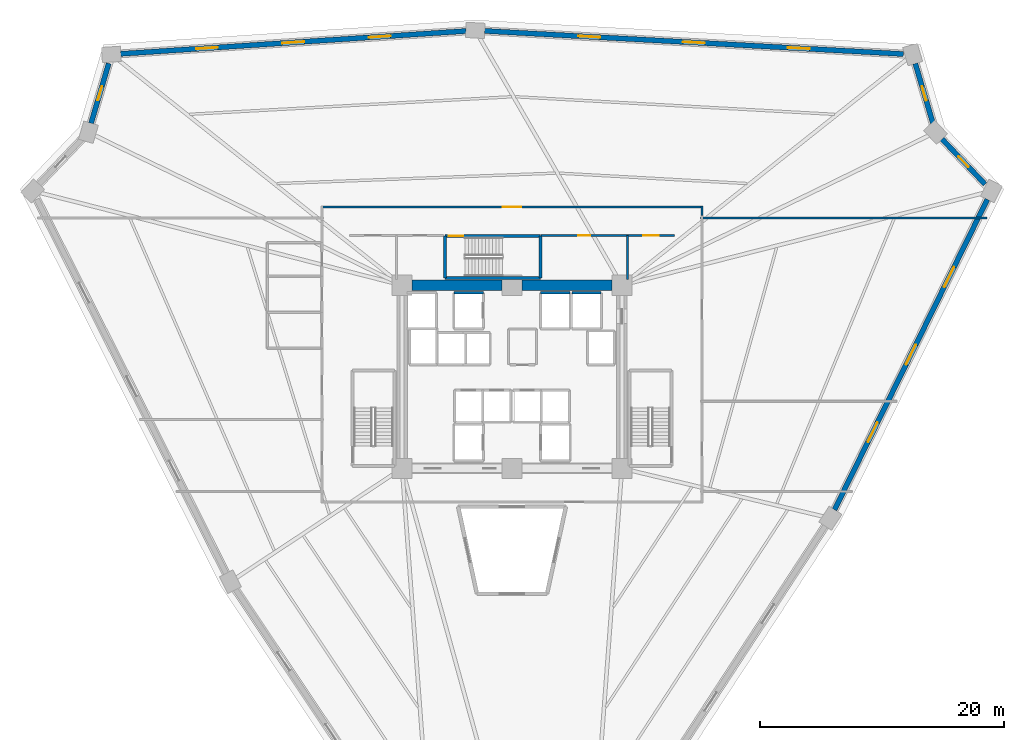
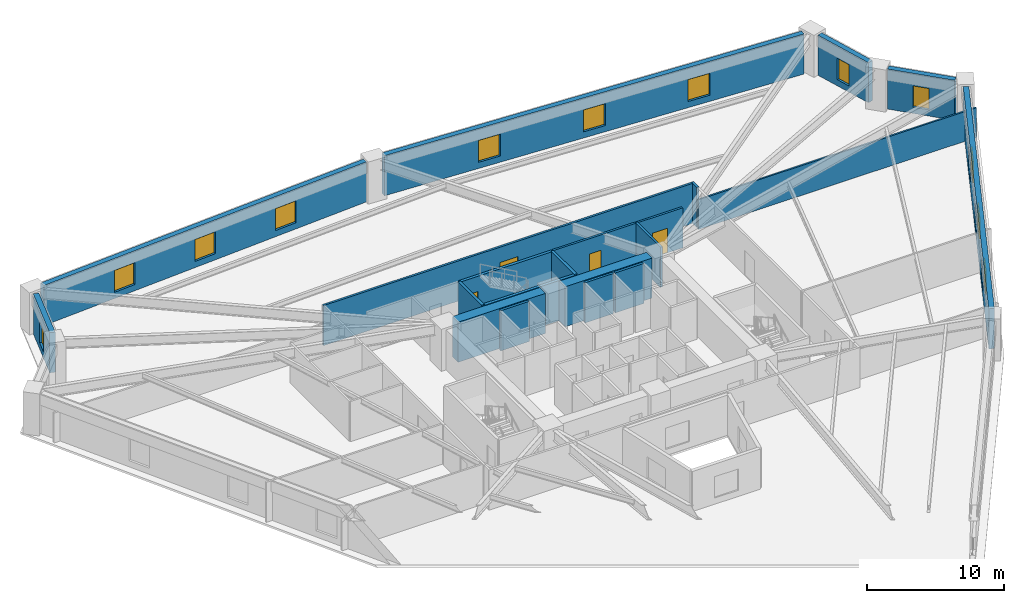
# One storey, part 6 of 8: 21 walls, 12 windows, 4 doors, 16 openings.
"""IFC4 building model written with IfcOpenShell, lengths in metres."""

from ifc_helpers import new_model, si_unit, direction, frame, frame_2d, origin, place, context, subcontext, project, spatial, rectangle, extrude, source, transform, mapped, material, layer, layer_set, type_object, element, fill, save


model = new_model("IFC4")

# Units and contexts
model_context = context("Model", 3, precision=1e-05, world=origin(), true_north=direction((0.0, 1.0)))
body_context = subcontext(model_context, "Body", "Model", "MODEL_VIEW")
ifc_project = project(units=[si_unit("LENGTHUNIT", "METRE"), si_unit("AREAUNIT", "SQUARE_METRE"), si_unit("VOLUMEUNIT", "CUBIC_METRE"), si_unit("PLANEANGLEUNIT", "RADIAN"), si_unit("MASSUNIT", "GRAM", prefix="KILO")], contexts=[model_context])

# Site, building, storey
site_placement = place(None, origin())
site = spatial("IfcSite", under=ifc_project, at=site_placement, CompositionType="ELEMENT")
building_placement = place(site_placement, origin())
building = spatial("IfcBuilding", under=site, at=building_placement, Name="Liaohun Quay Tower", CompositionType="ELEMENT")
storey_placement = place(building_placement, frame((0.0, 0.0, 32.25)))
storey = spatial("IfcBuildingStorey", under=building, at=storey_placement, Name="L08", CompositionType="ELEMENT", Elevation=32.25)

# Walls
ifc_material_1 = material(Name="Concrete C60", Category="concrete")
ifc_layer_1 = layer(ifc_material_1, 0.85009765625, Name="Concrete C60", Category="concrete")
ifc_layer_set_1 = layer_set([ifc_layer_1], Name="Concrete C60")
wall_type_1 = type_object("IfcWallType", Name="WAL-COR-Z1", PredefinedType="SHEAR", material=ifc_layer_set_1)
for number, where, z_axis, x_axis, name in (
    (1, (51.824951171875, 61.5, 0.0), (0.0, 0.0, 1.0), (1.0, 0.0, 0.0), "L08 Central Core Shear Wall N-W"),
    (2, (60.824951171875, 61.5, 0.0), (0.0, 0.0, 1.0), (1.0, 0.0, 0.0), "L08 Central Core Shear Wall N-E"),
):
    element("IfcWall", number, at=place(storey_placement, frame(where, z_axis=z_axis, x_axis=x_axis)), inside=storey, type_object=wall_type_1, Name=name, PredefinedType="SHEAR", context=body_context, shape_type="SweptSolid", body=[
        extrude(rectangle(XDim=7.35009765625, YDim=0.85009765625, at=frame_2d((3.675048828125, 0.0))), origin(), (0.0, 0.0, 1.0), 3.570068359375),
    ])

# Wall, openings, windows
ifc_material_2 = material(Name="Precast concrete C50 insulated sandwich", Category="concrete")
ifc_layer_2 = layer(ifc_material_2, 0.419921875, Name="Precast concrete C50 insulated sandwich", Category="concrete")
ifc_layer_set_2 = layer_set([ifc_layer_2], Name="Precast concrete C50 insulated sandwich")
wall_type_2 = type_object("IfcWallType", Name="WAL-EXT-Z12", PredefinedType="SOLIDWALL", material=ifc_layer_set_2)
wall_1_placement = place(storey_placement, frame((86.402099609375, 43.10888671875, 0.0), z_axis=(0.0, 0.0, 1.0), x_axis=(0.441766083851, 0.897130273238, 0.0)))
wall_1 = element("IfcWall", 3, at=wall_1_placement, inside=storey, type_object=wall_type_2, Name="L08 Brutalist Precast Pier Wall 03", PredefinedType="SOLIDWALL", context=body_context, shape_type="SweptSolid", body=[
    extrude(rectangle(XDim=28.33154296875, YDim=0.419921875, at=frame_2d((14.165771484375, 0.0))), origin(), (0.0, 0.0, 1.0), 3.570068359375),
])
shared_shape_1 = source(origin(), body_context, "Body", "SweptSolid", [
    extrude(rectangle(XDim=1.800048828125, YDim=1.949951171875, at=frame_2d((0.89990234375, 0.97509765625))), frame((0.0, 0.219970703125, 0.0), z_axis=(0.0, -1.0, 0.0), x_axis=(1.0, 0.0, 0.0)), (0.0, 0.0, 1.0), 0.43994140625),
])
opening_1_placement = place(wall_1_placement, frame((6.18310546875, 0.0, 0.550048828125)))
opening_1 = element("IfcOpeningElement", 4, at=opening_1_placement, cuts=wall_1, Name="Opening W01", PredefinedType="OPENING", context=body_context, shape_type="MappedRepresentation", body=[
    mapped(shared_shape_1, transform((0.0, 0.0, 0.0), x_axis=(1.0, 0.0, 0.0), y_axis=(0.0, 1.0, 0.0), z_axis=(0.0, 0.0, 1.0), scale=1.0)),
])
opening_2_placement = place(wall_1_placement, frame((13.26611328125, 0.0, 0.550048828125)))
opening_2 = element("IfcOpeningElement", 5, at=opening_2_placement, cuts=wall_1, Name="Opening W01", PredefinedType="OPENING", context=body_context, shape_type="MappedRepresentation", body=[
    mapped(shared_shape_1, transform((0.0, 0.0, 0.0), x_axis=(1.0, 0.0, 0.0), y_axis=(0.0, 1.0, 0.0), z_axis=(0.0, 0.0, 1.0), scale=1.0)),
])
opening_3_placement = place(wall_1_placement, frame((20.34912109375, 0.0, 0.550048828125)))
opening_3 = element("IfcOpeningElement", 6, at=opening_3_placement, cuts=wall_1, Name="Opening W01", PredefinedType="OPENING", context=body_context, shape_type="MappedRepresentation", body=[
    mapped(shared_shape_1, transform((0.0, 0.0, 0.0), x_axis=(1.0, 0.0, 0.0), y_axis=(0.0, 1.0, 0.0), z_axis=(0.0, 0.0, 1.0), scale=1.0)),
])
ifc_material_3 = material(Name="Triple Low-E argon glazing in thermally broken aluminium", Category="aluminium")
window_type_1 = type_object("IfcWindowType", Name="WIN-PUN-Z1", PartitioningType="DOUBLE_PANEL_VERTICAL", PredefinedType="WINDOW", material=ifc_material_3)
shared_shape_2 = source(origin(), body_context, "Body", "SweptSolid", [
    extrude(rectangle(XDim=1.800048828125, YDim=1.949951171875, at=frame_2d((0.89990234375, 0.97509765625))), frame((0.0, 0.030029296875, 0.0), z_axis=(0.0, -1.0, 0.0), x_axis=(1.0, 0.0, 0.0)), (0.0, 0.0, 1.0), 0.06005859375),
])
window_1_placement = place(opening_1_placement, origin())
window_1 = element("IfcWindow", 7, at=window_1_placement, inside=storey, type_object=window_type_1, Name="L08 Recessed Cold-Climate Punched Window 03-1", OverallHeight=1.949951171875, OverallWidth=1.800048828125, PartitioningType="DOUBLE_PANEL_VERTICAL", PredefinedType="WINDOW", context=body_context, shape_type="MappedRepresentation", body=[
    mapped(shared_shape_2, transform((0.0, 0.0, 0.0), x_axis=(1.0, 0.0, 0.0), y_axis=(0.0, 1.0, 0.0), z_axis=(0.0, 0.0, 1.0), scale=1.0)),
])
fill(opening_1, window_1)
window_2_placement = place(opening_2_placement, origin())
window_2 = element("IfcWindow", 8, at=window_2_placement, inside=storey, type_object=window_type_1, Name="L08 Recessed Cold-Climate Punched Window 03-2", OverallHeight=1.949951171875, OverallWidth=1.800048828125, PartitioningType="DOUBLE_PANEL_VERTICAL", PredefinedType="WINDOW", context=body_context, shape_type="MappedRepresentation", body=[
    mapped(shared_shape_2, transform((0.0, 0.0, 0.0), x_axis=(1.0, 0.0, 0.0), y_axis=(0.0, 1.0, 0.0), z_axis=(0.0, 0.0, 1.0), scale=1.0)),
])
fill(opening_2, window_2)
window_3_placement = place(opening_3_placement, origin())
window_3 = element("IfcWindow", 9, at=window_3_placement, inside=storey, type_object=window_type_1, Name="L08 Recessed Cold-Climate Punched Window 03-3", OverallHeight=1.949951171875, OverallWidth=1.800048828125, PartitioningType="DOUBLE_PANEL_VERTICAL", PredefinedType="WINDOW", context=body_context, shape_type="MappedRepresentation", body=[
    mapped(shared_shape_2, transform((0.0, 0.0, 0.0), x_axis=(1.0, 0.0, 0.0), y_axis=(0.0, 1.0, 0.0), z_axis=(0.0, 0.0, 1.0), scale=1.0)),
])
fill(opening_3, window_3)

# Wall, opening, window
wall_2_placement = place(storey_placement, frame((98.72900390625, 69.76611328125, 0.0), z_axis=(0.0, 0.0, 1.0), x_axis=(-0.689380748277, 0.724399188228, 0.0)))
wall_2 = element("IfcWall", 10, at=wall_2_placement, inside=storey, type_object=wall_type_2, Name="L08 Brutalist Precast Pier Wall 04", PredefinedType="SOLIDWALL", context=body_context, shape_type="SweptSolid", body=[
    extrude(rectangle(XDim=5.1103515625, YDim=0.419921875, at=frame_2d((2.55517578125, 0.0))), origin(), (0.0, 0.0, 1.0), 3.570068359375),
])
shared_shape_3 = source(origin(), body_context, "Body", "SweptSolid", [
    extrude(rectangle(XDim=1.199951171875, YDim=1.89990234375, at=frame_2d((0.60009765625, 0.949951171875))), frame((0.0, 0.219970703125, 0.0), z_axis=(0.0, -1.0, 0.0), x_axis=(1.0, 0.0, 0.0)), (0.0, 0.0, 1.0), 0.43994140625),
])
opening_4_placement = place(wall_2_placement, frame((1.955078125, 0.0, 0.550048828125)))
opening_4 = element("IfcOpeningElement", 11, at=opening_4_placement, cuts=wall_2, Name="Opening W05", PredefinedType="OPENING", context=body_context, shape_type="MappedRepresentation", body=[
    mapped(shared_shape_3, transform((0.0, 0.0, 0.0), x_axis=(1.0, 0.0, 0.0), y_axis=(0.0, 1.0, 0.0), z_axis=(0.0, 0.0, 1.0), scale=1.0)),
])
ifc_material_4 = material(Name="Triple Low-E corner notch glazing", Category="glass")
window_type_2 = type_object("IfcWindowType", Name="WIN-NOTCH", PartitioningType="SINGLE_PANEL", PredefinedType="WINDOW", material=ifc_material_4)
shared_shape_4 = source(origin(), body_context, "Body", "SweptSolid", [
    extrude(rectangle(XDim=1.199951171875, YDim=1.89990234375, at=frame_2d((0.60009765625, 0.949951171875))), frame((0.0, 0.030029296875, 0.0), z_axis=(0.0, -1.0, 0.0), x_axis=(1.0, 0.0, 0.0)), (0.0, 0.0, 1.0), 0.06005859375),
])
window_4_placement = place(opening_4_placement, origin())
window_4 = element("IfcWindow", 12, at=window_4_placement, inside=storey, type_object=window_type_2, Name="L08 Corner Notch Window W05-04", OverallHeight=1.89990234375, OverallWidth=1.199951171875, PartitioningType="SINGLE_PANEL", PredefinedType="WINDOW", context=body_context, shape_type="MappedRepresentation", body=[
    mapped(shared_shape_4, transform((0.0, 0.0, 0.0), x_axis=(1.0, 0.0, 0.0), y_axis=(0.0, 1.0, 0.0), z_axis=(0.0, 0.0, 1.0), scale=1.0)),
])
fill(opening_4, window_4)

wall_3_placement = place(storey_placement, frame((94.462890625, 74.756103515625, 0.0), z_axis=(0.0, 0.0, 1.0), x_axis=(-0.282977060142, 0.959126677469, 0.0)))
wall_3 = element("IfcWall", 13, at=wall_3_placement, inside=storey, type_object=wall_type_2, Name="L08 Brutalist Precast Pier Wall 05", PredefinedType="SOLIDWALL", context=body_context, shape_type="SweptSolid", body=[
    extrude(rectangle(XDim=5.102294921875, YDim=0.419921875, at=frame_2d((2.55126953125, 0.0))), origin(), (0.0, 0.0, 1.0), 3.570068359375),
])
opening_5_placement = place(wall_3_placement, frame((1.950927734375, 0.0, 0.550048828125)))
opening_5 = element("IfcOpeningElement", 14, at=opening_5_placement, cuts=wall_3, Name="Opening W05", PredefinedType="OPENING", context=body_context, shape_type="MappedRepresentation", body=[
    mapped(shared_shape_3, transform((0.0, 0.0, 0.0), x_axis=(1.0, 0.0, 0.0), y_axis=(0.0, 1.0, 0.0), z_axis=(0.0, 0.0, 1.0), scale=1.0)),
])
window_5_placement = place(opening_5_placement, origin())
window_5 = element("IfcWindow", 15, at=window_5_placement, inside=storey, type_object=window_type_2, Name="L08 Corner Notch Window W05-05", OverallHeight=1.89990234375, OverallWidth=1.199951171875, PartitioningType="SINGLE_PANEL", PredefinedType="WINDOW", context=body_context, shape_type="MappedRepresentation", body=[
    mapped(shared_shape_4, transform((0.0, 0.0, 0.0), x_axis=(1.0, 0.0, 0.0), y_axis=(0.0, 1.0, 0.0), z_axis=(0.0, 0.0, 1.0), scale=1.0)),
])
fill(opening_5, window_5)

# Wall, openings, windows
wall_4_placement = place(storey_placement, frame((92.0390625, 80.426025390625, 0.0), z_axis=(0.0, 0.0, 1.0), x_axis=(-0.998480221771, 0.055111221476, 0.0)))
wall_4 = element("IfcWall", 16, at=wall_4_placement, inside=storey, type_object=wall_type_2, Name="L08 Brutalist Precast Pier Wall 06", PredefinedType="SOLIDWALL", context=body_context, shape_type="SweptSolid", body=[
    extrude(rectangle(XDim=34.332275390625, YDim=0.419921875, at=frame_2d((17.166015625, 0.0))), origin(), (0.0, 0.0, 1.0), 3.570068359375),
])
opening_6_placement = place(wall_4_placement, frame((7.68310546875, 0.0, 0.550048828125)))
opening_6 = element("IfcOpeningElement", 17, at=opening_6_placement, cuts=wall_4, Name="Opening W01", PredefinedType="OPENING", context=body_context, shape_type="MappedRepresentation", body=[
    mapped(shared_shape_1, transform((0.0, 0.0, 0.0), x_axis=(1.0, 0.0, 0.0), y_axis=(0.0, 1.0, 0.0), z_axis=(0.0, 0.0, 1.0), scale=1.0)),
])
opening_7_placement = place(wall_4_placement, frame((16.26611328125, 0.0, 0.550048828125)))
opening_7 = element("IfcOpeningElement", 18, at=opening_7_placement, cuts=wall_4, Name="Opening W01", PredefinedType="OPENING", context=body_context, shape_type="MappedRepresentation", body=[
    mapped(shared_shape_1, transform((0.0, 0.0, 0.0), x_axis=(1.0, 0.0, 0.0), y_axis=(0.0, 1.0, 0.0), z_axis=(0.0, 0.0, 1.0), scale=1.0)),
])
opening_8_placement = place(wall_4_placement, frame((24.84912109375, 0.0, 0.550048828125)))
opening_8 = element("IfcOpeningElement", 19, at=opening_8_placement, cuts=wall_4, Name="Opening W01", PredefinedType="OPENING", context=body_context, shape_type="MappedRepresentation", body=[
    mapped(shared_shape_1, transform((0.0, 0.0, 0.0), x_axis=(1.0, 0.0, 0.0), y_axis=(0.0, 1.0, 0.0), z_axis=(0.0, 0.0, 1.0), scale=1.0)),
])
window_6_placement = place(opening_6_placement, origin())
window_6 = element("IfcWindow", 20, at=window_6_placement, inside=storey, type_object=window_type_1, Name="L08 Recessed Cold-Climate Punched Window 06-1", OverallHeight=1.949951171875, OverallWidth=1.800048828125, PartitioningType="DOUBLE_PANEL_VERTICAL", PredefinedType="WINDOW", context=body_context, shape_type="MappedRepresentation", body=[
    mapped(shared_shape_2, transform((0.0, 0.0, 0.0), x_axis=(1.0, 0.0, 0.0), y_axis=(0.0, 1.0, 0.0), z_axis=(0.0, 0.0, 1.0), scale=1.0)),
])
fill(opening_6, window_6)
window_7_placement = place(opening_7_placement, origin())
window_7 = element("IfcWindow", 21, at=window_7_placement, inside=storey, type_object=window_type_1, Name="L08 Recessed Cold-Climate Punched Window 06-2", OverallHeight=1.949951171875, OverallWidth=1.800048828125, PartitioningType="DOUBLE_PANEL_VERTICAL", PredefinedType="WINDOW", context=body_context, shape_type="MappedRepresentation", body=[
    mapped(shared_shape_2, transform((0.0, 0.0, 0.0), x_axis=(1.0, 0.0, 0.0), y_axis=(0.0, 1.0, 0.0), z_axis=(0.0, 0.0, 1.0), scale=1.0)),
])
fill(opening_7, window_7)
window_8_placement = place(opening_8_placement, origin())
window_8 = element("IfcWindow", 22, at=window_8_placement, inside=storey, type_object=window_type_1, Name="L08 Recessed Cold-Climate Punched Window 06-3", OverallHeight=1.949951171875, OverallWidth=1.800048828125, PartitioningType="DOUBLE_PANEL_VERTICAL", PredefinedType="WINDOW", context=body_context, shape_type="MappedRepresentation", body=[
    mapped(shared_shape_2, transform((0.0, 0.0, 0.0), x_axis=(1.0, 0.0, 0.0), y_axis=(0.0, 1.0, 0.0), z_axis=(0.0, 0.0, 1.0), scale=1.0)),
])
fill(opening_8, window_8)

wall_5_placement = place(storey_placement, frame((56.23193359375, 82.31005859375, 0.0), z_axis=(0.0, 0.0, 1.0), x_axis=(-0.997821383979, -0.06597337095, 0.0)))
wall_5 = element("IfcWall", 23, at=wall_5_placement, inside=storey, type_object=wall_type_2, Name="L08 Brutalist Precast Pier Wall 07", PredefinedType="SOLIDWALL", context=body_context, shape_type="SweptSolid", body=[
    extrude(rectangle(XDim=28.331787109375, YDim=0.419921875, at=frame_2d((14.166015625, 0.0))), origin(), (0.0, 0.0, 1.0), 3.570068359375),
])
opening_9_placement = place(wall_5_placement, frame((6.18310546875, 0.0, 0.550048828125)))
opening_9 = element("IfcOpeningElement", 24, at=opening_9_placement, cuts=wall_5, Name="Opening W01", PredefinedType="OPENING", context=body_context, shape_type="MappedRepresentation", body=[
    mapped(shared_shape_1, transform((0.0, 0.0, 0.0), x_axis=(1.0, 0.0, 0.0), y_axis=(0.0, 1.0, 0.0), z_axis=(0.0, 0.0, 1.0), scale=1.0)),
])
opening_10_placement = place(wall_5_placement, frame((13.26611328125, 0.0, 0.550048828125)))
opening_10 = element("IfcOpeningElement", 25, at=opening_10_placement, cuts=wall_5, Name="Opening W01", PredefinedType="OPENING", context=body_context, shape_type="MappedRepresentation", body=[
    mapped(shared_shape_1, transform((0.0, 0.0, 0.0), x_axis=(1.0, 0.0, 0.0), y_axis=(0.0, 1.0, 0.0), z_axis=(0.0, 0.0, 1.0), scale=1.0)),
])
opening_11_placement = place(wall_5_placement, frame((20.34912109375, 0.0, 0.550048828125)))
opening_11 = element("IfcOpeningElement", 26, at=opening_11_placement, cuts=wall_5, Name="Opening W01", PredefinedType="OPENING", context=body_context, shape_type="MappedRepresentation", body=[
    mapped(shared_shape_1, transform((0.0, 0.0, 0.0), x_axis=(1.0, 0.0, 0.0), y_axis=(0.0, 1.0, 0.0), z_axis=(0.0, 0.0, 1.0), scale=1.0)),
])
window_9_placement = place(opening_9_placement, origin())
window_9 = element("IfcWindow", 27, at=window_9_placement, inside=storey, type_object=window_type_1, Name="L08 Recessed Cold-Climate Punched Window 07-1", OverallHeight=1.949951171875, OverallWidth=1.800048828125, PartitioningType="DOUBLE_PANEL_VERTICAL", PredefinedType="WINDOW", context=body_context, shape_type="MappedRepresentation", body=[
    mapped(shared_shape_2, transform((0.0, 0.0, 0.0), x_axis=(1.0, 0.0, 0.0), y_axis=(0.0, 1.0, 0.0), z_axis=(0.0, 0.0, 1.0), scale=1.0)),
])
fill(opening_9, window_9)
window_10_placement = place(opening_10_placement, origin())
window_10 = element("IfcWindow", 28, at=window_10_placement, inside=storey, type_object=window_type_1, Name="L08 Recessed Cold-Climate Punched Window 07-2", OverallHeight=1.949951171875, OverallWidth=1.800048828125, PartitioningType="DOUBLE_PANEL_VERTICAL", PredefinedType="WINDOW", context=body_context, shape_type="MappedRepresentation", body=[
    mapped(shared_shape_2, transform((0.0, 0.0, 0.0), x_axis=(1.0, 0.0, 0.0), y_axis=(0.0, 1.0, 0.0), z_axis=(0.0, 0.0, 1.0), scale=1.0)),
])
fill(opening_10, window_10)
window_11_placement = place(opening_11_placement, origin())
window_11 = element("IfcWindow", 29, at=window_11_placement, inside=storey, type_object=window_type_1, Name="L08 Recessed Cold-Climate Punched Window 07-3", OverallHeight=1.949951171875, OverallWidth=1.800048828125, PartitioningType="DOUBLE_PANEL_VERTICAL", PredefinedType="WINDOW", context=body_context, shape_type="MappedRepresentation", body=[
    mapped(shared_shape_2, transform((0.0, 0.0, 0.0), x_axis=(1.0, 0.0, 0.0), y_axis=(0.0, 1.0, 0.0), z_axis=(0.0, 0.0, 1.0), scale=1.0)),
])
fill(opening_11, window_11)

# Wall, opening, window
wall_6_placement = place(storey_placement, frame((26.98291015625, 79.656982421875, 0.0), z_axis=(0.0, 0.0, 1.0), x_axis=(-0.282952619542, -0.959133887992, 0.0)))
wall_6 = element("IfcWall", 30, at=wall_6_placement, inside=storey, type_object=wall_type_2, Name="L08 Brutalist Precast Pier Wall 08", PredefinedType="SOLIDWALL", context=body_context, shape_type="SweptSolid", body=[
    extrude(rectangle(XDim=5.109619140625, YDim=0.419921875, at=frame_2d((2.5546875, 0.0))), origin(), (0.0, 0.0, 1.0), 3.570068359375),
])
opening_12_placement = place(wall_6_placement, frame((1.955078125, 0.0, 0.550048828125)))
opening_12 = element("IfcOpeningElement", 31, at=opening_12_placement, cuts=wall_6, Name="Opening W05", PredefinedType="OPENING", context=body_context, shape_type="MappedRepresentation", body=[
    mapped(shared_shape_3, transform((0.0, 0.0, 0.0), x_axis=(1.0, 0.0, 0.0), y_axis=(0.0, 1.0, 0.0), z_axis=(0.0, 0.0, 1.0), scale=1.0)),
])
window_12_placement = place(opening_12_placement, origin())
window_12 = element("IfcWindow", 32, at=window_12_placement, inside=storey, type_object=window_type_2, Name="L08 Corner Notch Window W05-08", OverallHeight=1.89990234375, OverallWidth=1.199951171875, PartitioningType="SINGLE_PANEL", PredefinedType="WINDOW", context=body_context, shape_type="MappedRepresentation", body=[
    mapped(shared_shape_4, transform((0.0, 0.0, 0.0), x_axis=(1.0, 0.0, 0.0), y_axis=(0.0, 1.0, 0.0), z_axis=(0.0, 0.0, 1.0), scale=1.0)),
])
fill(opening_12, window_12)

# Wall, opening, door
ifc_material_5 = material(Name="Autoclaved aerated concrete blockwork", Category="masonry")
ifc_layer_3 = layer(ifc_material_5, 0.179931640625, Name="Autoclaved aerated concrete blockwork", Category="masonry")
ifc_layer_set_3 = layer_set([ifc_layer_3], Name="Autoclaved aerated concrete blockwork")
wall_type_3 = type_object("IfcWallType", Name="WAL-PRT-COR", PredefinedType="PARTITIONING", material=ifc_layer_set_3)
wall_7_placement = place(storey_placement, frame((62.389892578125, 65.580078125, 0.0), z_axis=(0.0, 0.0, 1.0), x_axis=(1.0, 0.0, 0.0)))
wall_7 = element("IfcWall", 33, at=wall_7_placement, inside=storey, type_object=wall_type_3, Name="L08 Interior Partition Wall 006", PredefinedType="PARTITIONING", context=body_context, shape_type="SweptSolid", body=[
    extrude(rectangle(XDim=7.070068359375, YDim=0.179931640625, at=frame_2d((3.53515625, 0.0))), origin(), (0.0, 0.0, 1.0), 3.570068359375),
])
shared_shape_5 = source(origin(), body_context, "Body", "SweptSolid", [
    extrude(rectangle(XDim=1.0, YDim=2.199951171875, at=frame_2d((0.5, 1.10009765625))), frame((0.0, 0.099853515625, 0.0), z_axis=(0.0, -1.0, 0.0), x_axis=(1.0, 0.0, 0.0)), (0.0, 0.0, 1.0), 0.199951171875),
])
opening_13_placement = place(wall_7_placement, frame((3.034912109375, 0.0, 0.0)))
opening_13 = element("IfcOpeningElement", 34, at=opening_13_placement, cuts=wall_7, Name="Opening OD1", PredefinedType="OPENING", context=body_context, shape_type="MappedRepresentation", body=[
    mapped(shared_shape_5, transform((0.0, 0.0, 0.0), x_axis=(1.0, 0.0, 0.0), y_axis=(0.0, 1.0, 0.0), z_axis=(0.0, 0.0, 1.0), scale=1.0)),
])
ifc_material_6 = material(Name="Solid-core oak veneer timber leaf in steel frame", Category="steel")
door_type_1 = type_object("IfcDoorType", Name="DOR-OFF-1000", OperationType="NOTDEFINED", PredefinedType="DOOR", material=ifc_material_6)
shared_shape_6 = source(origin(), body_context, "Body", "SweptSolid", [
    extrude(rectangle(XDim=1.0, YDim=2.199951171875, at=frame_2d((0.5, 1.10009765625))), frame((0.0, 0.02490234375, 0.0), z_axis=(0.0, -1.0, 0.0), x_axis=(1.0, 0.0, 0.0)), (0.0, 0.0, 1.0), 0.050048828125),
])
door_1_placement = place(opening_13_placement, origin())
door_1 = element("IfcDoor", 35, at=door_1_placement, inside=storey, type_object=door_type_1, Name="L08 North-East Archive and Mail Room Door", OperationType="SINGLE_SWING_LEFT", OverallHeight=2.199951171875, OverallWidth=1.0, PredefinedType="DOOR", context=body_context, shape_type="MappedRepresentation", body=[
    mapped(shared_shape_6, transform((0.0, 0.0, 0.0), x_axis=(1.0, 0.0, 0.0), y_axis=(0.0, 1.0, 0.0), z_axis=(0.0, 0.0, 1.0), scale=1.0)),
])
fill(opening_13, door_1)

wall_8_placement = place(storey_placement, frame((69.4599609375, 65.580078125, 0.0), z_axis=(0.0, 0.0, 1.0), x_axis=(1.0, 0.0, 0.0)))
wall_8 = element("IfcWall", 36, at=wall_8_placement, inside=storey, type_object=wall_type_3, Name="L08 Interior Partition Wall 008", PredefinedType="PARTITIONING", context=body_context, shape_type="SweptSolid", body=[
    extrude(rectangle(XDim=3.840087890625, YDim=0.179931640625, at=frame_2d((1.919921875, 0.0))), origin(), (0.0, 0.0, 1.0), 3.570068359375),
])
shared_shape_7 = source(origin(), body_context, "Body", "SweptSolid", [
    extrude(rectangle(XDim=1.300048828125, YDim=2.199951171875, at=frame_2d((0.64990234375, 1.10009765625))), frame((0.0, 0.099853515625, 0.0), z_axis=(0.0, -1.0, 0.0), x_axis=(1.0, 0.0, 0.0)), (0.0, 0.0, 1.0), 0.199951171875),
])
opening_14_placement = place(wall_8_placement, frame((1.27001953125, 0.0, 0.0)))
opening_14 = element("IfcOpeningElement", 37, at=opening_14_placement, cuts=wall_8, Name="Opening FD1", PredefinedType="OPENING", context=body_context, shape_type="MappedRepresentation", body=[
    mapped(shared_shape_7, transform((0.0, 0.0, 0.0), x_axis=(1.0, 0.0, 0.0), y_axis=(0.0, 1.0, 0.0), z_axis=(0.0, 0.0, 1.0), scale=1.0)),
])
ifc_material_7 = material(Name="Galvanised steel smokeproof fire door", Category="steel")
door_type_2 = type_object("IfcDoorType", Name="DOR-FFL-1300", OperationType="NOTDEFINED", PredefinedType="DOOR", material=ifc_material_7)
shared_shape_8 = source(origin(), body_context, "Body", "SweptSolid", [
    extrude(rectangle(XDim=1.300048828125, YDim=2.199951171875, at=frame_2d((0.64990234375, 1.10009765625))), frame((0.0, 0.02490234375, 0.0), z_axis=(0.0, -1.0, 0.0), x_axis=(1.0, 0.0, 0.0)), (0.0, 0.0, 1.0), 0.050048828125),
])
door_2_placement = place(opening_14_placement, origin())
door_2 = element("IfcDoor", 38, at=door_2_placement, inside=storey, type_object=door_type_2, Name="L08 East Core Vestibule Door", OperationType="SINGLE_SWING_LEFT", OverallHeight=2.199951171875, OverallWidth=1.300048828125, PredefinedType="DOOR", context=body_context, shape_type="MappedRepresentation", body=[
    mapped(shared_shape_8, transform((0.0, 0.0, 0.0), x_axis=(1.0, 0.0, 0.0), y_axis=(0.0, 1.0, 0.0), z_axis=(0.0, 0.0, 1.0), scale=1.0)),
])
fill(opening_14, door_2)

wall_9_placement = place(storey_placement, frame((44.3701171875, 67.909912109375, 0.0), z_axis=(0.0, 0.0, 1.0), x_axis=(1.0, 0.0, 0.0)))
wall_9 = element("IfcWall", 39, at=wall_9_placement, inside=storey, type_object=wall_type_3, Name="L08 Interior Partition Wall 010", PredefinedType="PARTITIONING", context=body_context, shape_type="SweptSolid", body=[
    extrude(rectangle(XDim=31.259765625, YDim=0.179931640625, at=frame_2d((15.6298828125, 0.0))), origin(), (0.0, 0.0, 1.0), 3.570068359375),
])
shared_shape_9 = source(origin(), body_context, "Body", "SweptSolid", [
    extrude(rectangle(XDim=1.5, YDim=2.199951171875, at=frame_2d((0.75, 1.10009765625))), frame((0.0, 0.099853515625, 0.0), z_axis=(0.0, -1.0, 0.0), x_axis=(1.0, 0.0, 0.0)), (0.0, 0.0, 1.0), 0.199951171875),
])
opening_15_placement = place(wall_9_placement, frame((14.8798828125, 0.0, 0.0)))
opening_15 = element("IfcOpeningElement", 40, at=opening_15_placement, cuts=wall_9, Name="Opening OD2", PredefinedType="OPENING", context=body_context, shape_type="MappedRepresentation", body=[
    mapped(shared_shape_9, transform((0.0, 0.0, 0.0), x_axis=(1.0, 0.0, 0.0), y_axis=(0.0, 1.0, 0.0), z_axis=(0.0, 0.0, 1.0), scale=1.0)),
])
ifc_material_8 = material(Name="Acoustic oak veneer double door")
door_type_3 = type_object("IfcDoorType", Name="DOR-OFF-1500", OperationType="DOUBLE_DOOR_SINGLE_SWING", PredefinedType="DOOR", material=ifc_material_8)
shared_shape_10 = source(origin(), body_context, "Body", "SweptSolid", [
    extrude(rectangle(XDim=1.5, YDim=2.199951171875, at=frame_2d((0.75, 1.10009765625))), frame((0.0, 0.02490234375, 0.0), z_axis=(0.0, -1.0, 0.0), x_axis=(1.0, 0.0, 0.0)), (0.0, 0.0, 1.0), 0.050048828125),
])
door_3_placement = place(opening_15_placement, origin())
door_3 = element("IfcDoor", 41, at=door_3_placement, inside=storey, type_object=door_type_3, Name="L08 Technical Reference Library 02 Door", OperationType="DOUBLE_DOOR_SINGLE_SWING", OverallHeight=2.199951171875, OverallWidth=1.5, PredefinedType="DOOR", context=body_context, shape_type="MappedRepresentation", body=[
    mapped(shared_shape_10, transform((0.0, 0.0, 0.0), x_axis=(1.0, 0.0, 0.0), y_axis=(0.0, 1.0, 0.0), z_axis=(0.0, 0.0, 1.0), scale=1.0)),
])
fill(opening_15, door_3)

# Walls
wall_10_placement = place(storey_placement, frame((69.4599609375, 61.949951171875, 0.0), z_axis=(0.0, 0.0, 1.0), x_axis=(0.0, 1.0, 0.0)))
element("IfcWall", 42, at=wall_10_placement, inside=storey, type_object=wall_type_3, Name="L08 Interior Partition Wall 024", PredefinedType="PARTITIONING", context=body_context, shape_type="SweptSolid", body=[
    extrude(rectangle(XDim=3.630126953125, YDim=0.179931640625, at=frame_2d((1.81494140625, 0.0))), origin(), (0.0, 0.0, 1.0), 3.570068359375),
])
wall_11_placement = place(storey_placement, frame((75.56005859375, 67.97998046875, 0.0), z_axis=(0.0, 0.0, 1.0), x_axis=(0.0, -1.0, 0.0)))
element("IfcWall", 43, at=wall_11_placement, inside=storey, type_object=wall_type_3, Name="L08 Interior Partition Wall 026", PredefinedType="PARTITIONING", context=body_context, shape_type="SweptSolid", body=[
    extrude(rectangle(XDim=0.764892578125, YDim=0.179931640625, at=frame_2d((0.38232421875, 0.0))), origin(), (0.0, 0.0, 1.0), 3.570068359375),
])
ifc_material_9 = material(Name="Gypsum board on twin steel studs", Category="steel")
ifc_layer_4 = layer(ifc_material_9, 0.139892578125, Name="Gypsum board on twin steel studs", Category="steel")
ifc_layer_set_4 = layer_set([ifc_layer_4], Name="Gypsum board on twin steel studs")
wall_type_4 = type_object("IfcWallType", Name="WAL-PRT-OFF", PredefinedType="PARTITIONING", material=ifc_layer_set_4)
wall_12_placement = place(storey_placement, frame((75.4599609375, 67.0, 0.0), z_axis=(0.0, 0.0, 1.0), x_axis=(1.0, 0.0, 0.0)))
element("IfcWall", 44, at=wall_12_placement, inside=storey, type_object=wall_type_4, Name="L08 Interior Partition Wall 035", PredefinedType="PARTITIONING", context=body_context, shape_type="SweptSolid", body=[
    extrude(rectangle(XDim=23.41015625, YDim=0.139892578125, at=frame_2d((11.705078125, 0.0))), origin(), (0.0, 0.0, 1.0), 2.655029296875),
])
ifc_material_10 = material(Name="Concrete C50", Category="concrete")
ifc_layer_5 = layer(ifc_material_10, 0.239990234375, Name="Concrete C50", Category="concrete")
ifc_layer_set_5 = layer_set([ifc_layer_5], Name="Concrete C50")
wall_type_5 = type_object("IfcWallType", Name="WAL-SHF-200", PredefinedType="SOLIDWALL", material=ifc_layer_set_5)
wall_13_placement = place(storey_placement, frame((54.5, 62.10009765625, 0.0), z_axis=(0.0, 0.0, 1.0), x_axis=(1.0, 0.0, 0.0)))
element("IfcWall", 45, at=wall_13_placement, inside=storey, type_object=wall_type_5, Name="L08 Stairwell ST-3 Structural Core Wall S", PredefinedType="SOLIDWALL", context=body_context, shape_type="SweptSolid", body=[
    extrude(rectangle(XDim=7.820068359375, YDim=0.239990234375, at=frame_2d((3.91015625, 0.0))), origin(), (0.0, 0.0, 1.0), 3.570068359375),
])
wall_14_placement = place(storey_placement, frame((62.320068359375, 62.10009765625, 0.0), z_axis=(0.0, 0.0, 1.0), x_axis=(0.0, 1.0, 0.0)))
element("IfcWall", 46, at=wall_14_placement, inside=storey, type_object=wall_type_5, Name="L08 Stairwell ST-3 Structural Core Wall E", PredefinedType="SOLIDWALL", context=body_context, shape_type="SweptSolid", body=[
    extrude(rectangle(XDim=3.43994140625, YDim=0.239990234375, at=frame_2d((1.719970703125, 0.0))), origin(), (0.0, 0.0, 1.0), 3.570068359375),
])

# Wall, opening, door
wall_15_placement = place(storey_placement, frame((62.320068359375, 65.5400390625, 0.0), z_axis=(0.0, 0.0, 1.0), x_axis=(-1.0, 0.0, 0.0)))
wall_15 = element("IfcWall", 47, at=wall_15_placement, inside=storey, type_object=wall_type_5, Name="L08 Stairwell ST-3 Structural Core Wall N", PredefinedType="SOLIDWALL", context=body_context, shape_type="SweptSolid", body=[
    extrude(rectangle(XDim=7.820068359375, YDim=0.239990234375, at=frame_2d((3.91015625, 0.0))), origin(), (0.0, 0.0, 1.0), 3.570068359375),
])
shared_shape_11 = source(origin(), body_context, "Body", "SweptSolid", [
    extrude(rectangle(XDim=1.199951171875, YDim=2.199951171875, at=frame_2d((0.60009765625, 1.10009765625))), frame((0.0, 0.1298828125, 0.0), z_axis=(0.0, -1.0, 0.0), x_axis=(1.0, 0.0, 0.0)), (0.0, 0.0, 1.0), 0.260009765625),
])
opening_16_placement = place(wall_15_placement, frame((6.300048828125, 0.0, 0.0)))
opening_16 = element("IfcOpeningElement", 48, at=opening_16_placement, cuts=wall_15, Name="Opening SD1", PredefinedType="OPENING", context=body_context, shape_type="MappedRepresentation", body=[
    mapped(shared_shape_11, transform((0.0, 0.0, 0.0), x_axis=(1.0, 0.0, 0.0), y_axis=(0.0, 1.0, 0.0), z_axis=(0.0, 0.0, 1.0), scale=1.0)),
])
ifc_material_11 = material(Name="Galvanised steel fire door", Category="steel")
door_type_4 = type_object("IfcDoorType", Name="DOR-STR-1200", OperationType="NOTDEFINED", PredefinedType="DOOR", material=ifc_material_11)
shared_shape_12 = source(origin(), body_context, "Body", "SweptSolid", [
    extrude(rectangle(XDim=1.199951171875, YDim=2.199951171875, at=frame_2d((0.60009765625, 1.10009765625))), frame((0.0, 0.02490234375, 0.0), z_axis=(0.0, -1.0, 0.0), x_axis=(1.0, 0.0, 0.0)), (0.0, 0.0, 1.0), 0.050048828125),
])
door_4_placement = place(opening_16_placement, origin())
door_4 = element("IfcDoor", 49, at=door_4_placement, inside=storey, type_object=door_type_4, Name="L08 Protected Stair ST-3 Fire Door", OperationType="SINGLE_SWING_RIGHT", OverallHeight=2.199951171875, OverallWidth=1.199951171875, PredefinedType="DOOR", context=body_context, shape_type="MappedRepresentation", body=[
    mapped(shared_shape_12, transform((0.0, 0.0, 0.0), x_axis=(1.0, 0.0, 0.0), y_axis=(0.0, 1.0, 0.0), z_axis=(0.0, 0.0, 1.0), scale=1.0)),
])
fill(opening_16, door_4)

# Walls
wall_16_placement = place(storey_placement, frame((54.5, 65.5400390625, 0.0), z_axis=(0.0, 0.0, 1.0), x_axis=(0.0, -1.0, 0.0)))
element("IfcWall", 50, at=wall_16_placement, inside=storey, type_object=wall_type_5, Name="L08 Stairwell ST-3 Structural Core Wall W", PredefinedType="SOLIDWALL", context=body_context, shape_type="SweptSolid", body=[
    extrude(rectangle(XDim=3.43994140625, YDim=0.239990234375, at=frame_2d((1.719970703125, 0.0))), origin(), (0.0, 0.0, 1.0), 3.570068359375),
])
for number, where, z_axis, x_axis, name in (
    (51, (57.64990234375, 60.8798828125, 0.0), (0.0, 0.0, 1.0), (-1.0, 0.0, 0.0), "L08 Lift FF-03 Hoistway Wall N"),
    (52, (64.75, 60.8798828125, 0.0), (0.0, 0.0, 1.0), (-1.0, 0.0, 0.0), "L08 Lift OB-01 Hoistway Wall N"),
):
    element("IfcWall", number, at=place(storey_placement, frame(where, z_axis=z_axis, x_axis=x_axis)), inside=storey, type_object=wall_type_5, Name=name, PredefinedType="SOLIDWALL", context=body_context, shape_type="SweptSolid", body=[
        extrude(rectangle(XDim=2.39990234375, YDim=0.199951171875, at=frame_2d((1.199951171875, 0.0))), origin(), (0.0, 0.0, 1.0), 3.570068359375),
    ])
wall_17_placement = place(storey_placement, frame((67.300048828125, 60.8798828125, 0.0), z_axis=(0.0, 0.0, 1.0), x_axis=(-1.0, 0.0, 0.0)))
element("IfcWall", 53, at=wall_17_placement, inside=storey, type_object=wall_type_5, Name="L08 Lift OB-02 Hoistway Wall N", PredefinedType="SOLIDWALL", context=body_context, shape_type="SweptSolid", body=[
    extrude(rectangle(XDim=2.400146484375, YDim=0.199951171875, at=frame_2d((1.2001953125, 0.0))), origin(), (0.0, 0.0, 1.0), 3.570068359375),
])

save(model, "model.ifc")
